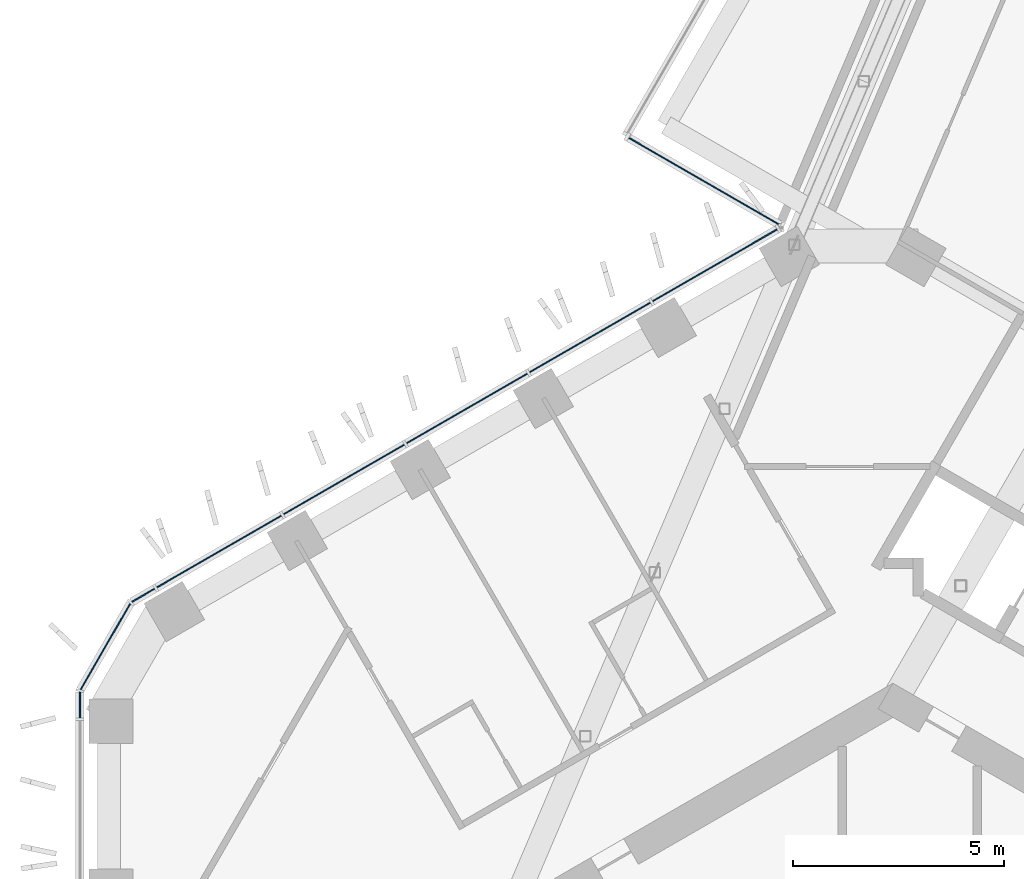
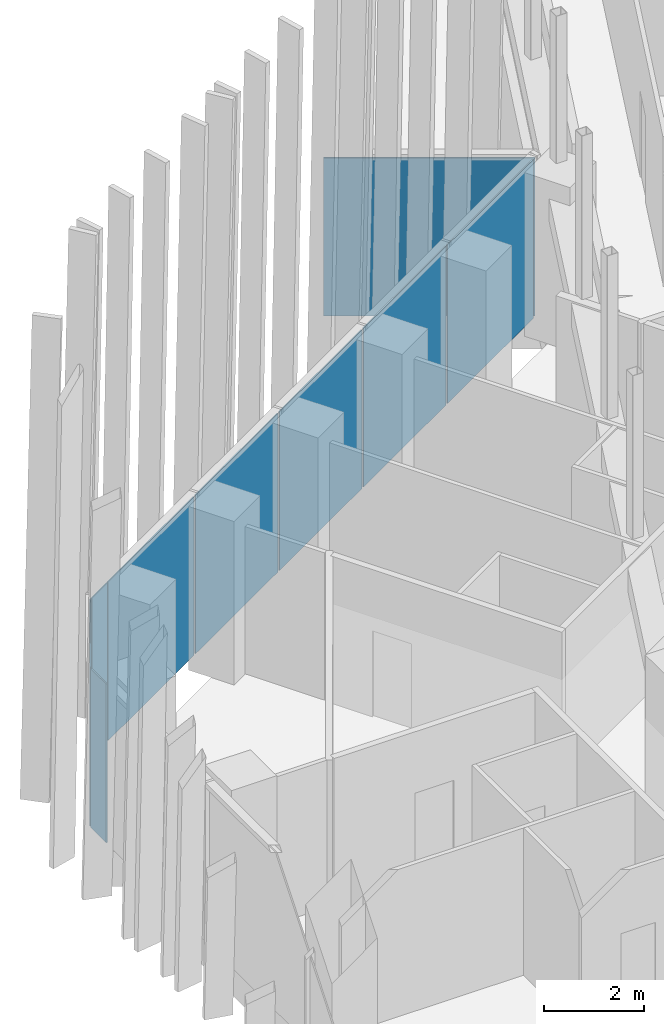
# One storey, part 17 of 31: 9 plates, 3 elements without a shape of their own.
"""IFC4 building model written with IfcOpenShell, lengths in metres."""

from ifc_helpers import new_model, si_unit, direction, frame, origin, origin_2d, place, context, subcontext, project, spatial, rectangle, extrude, material, layer, layer_set, type_object, element, aggregate, save


model = new_model("IFC4")

# Units and contexts
model_context = context("Model", 3, precision=1e-05, world=origin(), true_north=direction((0.0, 1.0)))
body_context = subcontext(model_context, "Body", "Model", "MODEL_VIEW")
ifc_project = project(units=[si_unit("LENGTHUNIT", "METRE"), si_unit("AREAUNIT", "SQUARE_METRE"), si_unit("VOLUMEUNIT", "CUBIC_METRE"), si_unit("PLANEANGLEUNIT", "RADIAN"), si_unit("MASSUNIT", "GRAM", prefix="KILO")], contexts=[model_context])

# Site, building, storey
site_placement = place(None, origin())
site = spatial("IfcSite", under=ifc_project, at=site_placement, CompositionType="ELEMENT")
building_placement = place(site_placement, origin())
building = spatial("IfcBuilding", under=site, at=building_placement, Name="Ayvan Gate Tower", CompositionType="ELEMENT")
storey_placement = place(building_placement, frame((0.0, 0.0, 135.89990234375)))
storey = spatial("IfcBuildingStorey", under=building, at=storey_placement, Name="L36", CompositionType="ELEMENT", Elevation=135.89990234375)

# Curtain wall, plates
ifc_material_1 = material(Name="Bronze anodised aluminium", Category="aluminium")
ifc_layer_1 = layer(ifc_material_1, 0.199951171875)
ifc_layer_set_1 = layer_set([ifc_layer_1], Name="Bronze anodised aluminium")
curtain_wall_type_1 = type_object("IfcCurtainWallType", Name="Stick curtain wall CW-1", PredefinedType="NOTDEFINED", material=ifc_layer_set_1)
curtain_wall_1_placement = place(storey_placement, origin())
curtain_wall_1 = element("IfcCurtainWall", 1, at=curtain_wall_1_placement, inside=storey, type_object=curtain_wall_type_1, Name="Stick curtain wall CW-1 L36", PredefinedType="NOTDEFINED")
ifc_material_2 = material(Name="Clear low-iron laminated glass", Category="glass")
ifc_layer_2 = layer(ifc_material_2, 0.028076171875)
ifc_layer_set_2 = layer_set([ifc_layer_2], Name="Clear low-iron laminated glass")
plate_type_1 = type_object("IfcPlateType", Name="Stick curtain wall CW-1 glass panel", PredefinedType="CURTAIN_PANEL", material=ifc_layer_set_2)
plate_1_placement = place(storey_placement, frame((-7.17822265625, 19.163818359375, 0.000244140625), z_axis=(0.0, 0.0, 1.0), x_axis=(-0.866025403784, -0.5, 0.0)))
plate_1 = element("IfcPlate", 2, at=plate_1_placement, type_object=plate_type_1, Name="CW-1 glass panel 2", PredefinedType="CURTAIN_PANEL", context=body_context, shape_type="SweptSolid", body=[
    extrude(rectangle(XDim=3.304931640625, YDim=0.028076171875, at=origin_2d()), origin(), (0.0, 0.0, 1.0), 3.8798828125),
])
plate_2_placement = place(storey_placement, frame((-10.0927734375, 17.481201171875, 0.000244140625), z_axis=(0.0, 0.0, 1.0), x_axis=(-0.866025403784, -0.5, 0.0)))
plate_2 = element("IfcPlate", 3, at=plate_2_placement, type_object=plate_type_1, Name="CW-1 glass panel 3", PredefinedType="CURTAIN_PANEL", context=body_context, shape_type="SweptSolid", body=[
    extrude(rectangle(XDim=3.305908203125, YDim=0.028076171875, at=origin_2d()), origin(), (0.0, 0.0, 1.0), 3.8798828125),
])
plate_3_placement = place(storey_placement, frame((-13.007568359375, 15.79833984375, 0.000244140625), z_axis=(0.0, 0.0, 1.0), x_axis=(-0.866025403784, -0.5, 0.0)))
plate_3 = element("IfcPlate", 4, at=plate_3_placement, type_object=plate_type_1, Name="CW-1 glass panel 4", PredefinedType="CURTAIN_PANEL", context=body_context, shape_type="SweptSolid", body=[
    extrude(rectangle(XDim=3.304931640625, YDim=0.028076171875, at=origin_2d()), origin(), (0.0, 0.0, 1.0), 3.8798828125),
])
plate_4_placement = place(storey_placement, frame((-15.979248046875, 14.082763671875, 0.000244140625), z_axis=(0.0, 0.0, 1.0), x_axis=(-0.866025403784, -0.5, 0.0)))
plate_4 = element("IfcPlate", 5, at=plate_4_placement, type_object=plate_type_1, Name="CW-1 glass panel 5", PredefinedType="CURTAIN_PANEL", context=body_context, shape_type="SweptSolid", body=[
    extrude(rectangle(XDim=3.437744140625, YDim=0.028076171875, at=origin_2d()), origin(), (0.0, 0.0, 1.0), 3.8798828125),
])
ifc_material_3 = material(Name="Pale anodised aluminium composite panel", Category="aluminium")
ifc_layer_3 = layer(ifc_material_3, 0.028076171875)
ifc_layer_set_3 = layer_set([ifc_layer_3], Name="Pale anodised aluminium composite panel")
plate_type_2 = type_object("IfcPlateType", Name="Stick curtain wall CW-1 solid panel", PredefinedType="CURTAIN_PANEL", material=ifc_layer_set_3)
plate_5_placement = place(storey_placement, frame((-4.20654296875, 20.879638671875, 0.000244140625), z_axis=(0.0, 0.0, 1.0), x_axis=(-0.866025403784, -0.5, 0.0)))
plate_5 = element("IfcPlate", 6, at=plate_5_placement, type_object=plate_type_2, Name="CW-1 solid panel 1", PredefinedType="CURTAIN_PANEL", context=body_context, shape_type="SweptSolid", body=[
    extrude(rectangle(XDim=3.43798828125, YDim=0.028076171875, at=origin_2d()), origin(), (0.0, 0.0, 1.0), 3.8798828125),
])
aggregate(curtain_wall_1, [plate_5, plate_1, plate_2, plate_3, plate_4])

# Curtain wall, plate
ifc_layer_4 = layer(ifc_material_1, 0.199951171875)
ifc_layer_set_4 = layer_set([ifc_layer_4], Name="Bronze anodised aluminium")
curtain_wall_type_2 = type_object("IfcCurtainWallType", Name="Stick curtain wall CW-4", PredefinedType="NOTDEFINED", material=ifc_layer_set_4)
curtain_wall_2_placement = place(storey_placement, origin())
curtain_wall_2 = element("IfcCurtainWall", 7, at=curtain_wall_2_placement, inside=storey, type_object=curtain_wall_type_2, Name="Stick curtain wall CW-4 L36", PredefinedType="NOTDEFINED")
ifc_layer_5 = layer(ifc_material_3, 0.028076171875)
ifc_layer_set_5 = layer_set([ifc_layer_5], Name="Pale anodised aluminium composite panel")
plate_type_3 = type_object("IfcPlateType", Name="Stick curtain wall CW-4 solid panel", PredefinedType="CURTAIN_PANEL", material=ifc_layer_set_5)
plate_6_placement = place(storey_placement, frame((-4.463134765625, 22.85791015625, 0.0), z_axis=(0.0, 0.0, 1.0), x_axis=(0.866025403784, -0.5, 0.0)))
plate_6 = element("IfcPlate", 8, at=plate_6_placement, type_object=plate_type_3, Name="CW-4 solid panel 1", PredefinedType="CURTAIN_PANEL", context=body_context, shape_type="SweptSolid", body=[
    extrude(rectangle(XDim=4.23193359375, YDim=0.028076171875, at=origin_2d()), origin(), (0.0, 0.0, 1.0), 3.860107421875),
])
aggregate(curtain_wall_2, [plate_6])

# Curtain wall, plates
ifc_layer_6 = layer(ifc_material_1, 0.199951171875)
ifc_layer_set_6 = layer_set([ifc_layer_6], Name="Bronze anodised aluminium")
curtain_wall_type_3 = type_object("IfcCurtainWallType", Name="Stick curtain wall CW-6", PredefinedType="NOTDEFINED", material=ifc_layer_set_6)
curtain_wall_3_placement = place(storey_placement, origin())
curtain_wall_3 = element("IfcCurtainWall", 9, at=curtain_wall_3_placement, inside=storey, type_object=curtain_wall_type_3, Name="Stick curtain wall CW-6 L36", PredefinedType="NOTDEFINED")
ifc_layer_7 = layer(ifc_material_2, 0.028076171875)
ifc_layer_set_7 = layer_set([ifc_layer_7], Name="Clear low-iron laminated glass")
plate_type_4 = type_object("IfcPlateType", Name="Stick curtain wall CW-6 glass panel", PredefinedType="CURTAIN_PANEL", material=ifc_layer_set_7)
plate_7_placement = place(storey_placement, frame((-17.764404296875, 13.052001953125, 0.000244140625), z_axis=(0.0, 0.0, 1.0), x_axis=(-0.866025403784, -0.5, 0.0)))
plate_7 = element("IfcPlate", 10, at=plate_7_placement, type_object=plate_type_4, Name="CW-6 glass panel 1", PredefinedType="CURTAIN_PANEL", context=body_context, shape_type="SweptSolid", body=[
    extrude(rectangle(XDim=0.625, YDim=0.028076171875, at=origin_2d()), origin(), (0.0, 0.0, 1.0), 3.8798828125),
])
plate_8_placement = place(storey_placement, frame((-18.660400390625, 11.837646484375, 0.000244140625), z_axis=(0.0, 0.0, 1.0), x_axis=(-0.5, -0.866025403784, 0.0)))
plate_8 = element("IfcPlate", 11, at=plate_8_placement, type_object=plate_type_4, Name="CW-6 glass panel 2", PredefinedType="CURTAIN_PANEL", context=body_context, shape_type="SweptSolid", body=[
    extrude(rectangle(XDim=2.364501953125, YDim=0.028076171875, at=origin_2d()), origin(), (0.0, 0.0, 1.0), 3.8798828125),
])
plate_9_placement = place(storey_placement, frame((-19.263916015625, 10.45458984375, 0.000244140625), z_axis=(0.0, 0.0, 1.0), x_axis=(0.0, -1.0, 0.0)))
plate_9 = element("IfcPlate", 12, at=plate_9_placement, type_object=plate_type_4, Name="CW-6 glass panel 3", PredefinedType="CURTAIN_PANEL", context=body_context, shape_type="SweptSolid", body=[
    extrude(rectangle(XDim=0.625, YDim=0.028076171875, at=origin_2d()), origin(), (0.0, 0.0, 1.0), 3.8798828125),
])
aggregate(curtain_wall_3, [plate_7, plate_8, plate_9])

save(model, "model.ifc")
